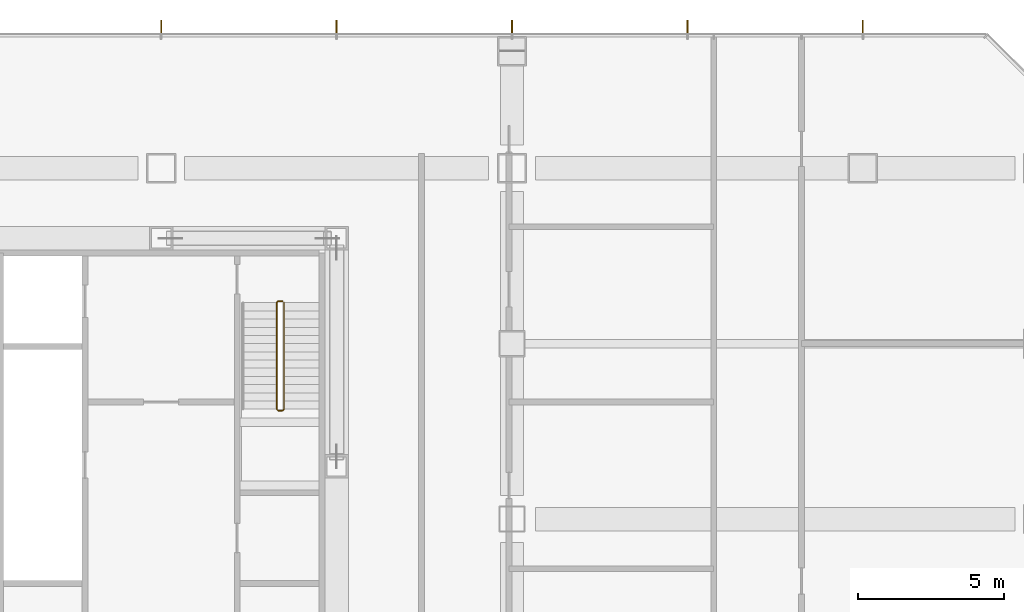
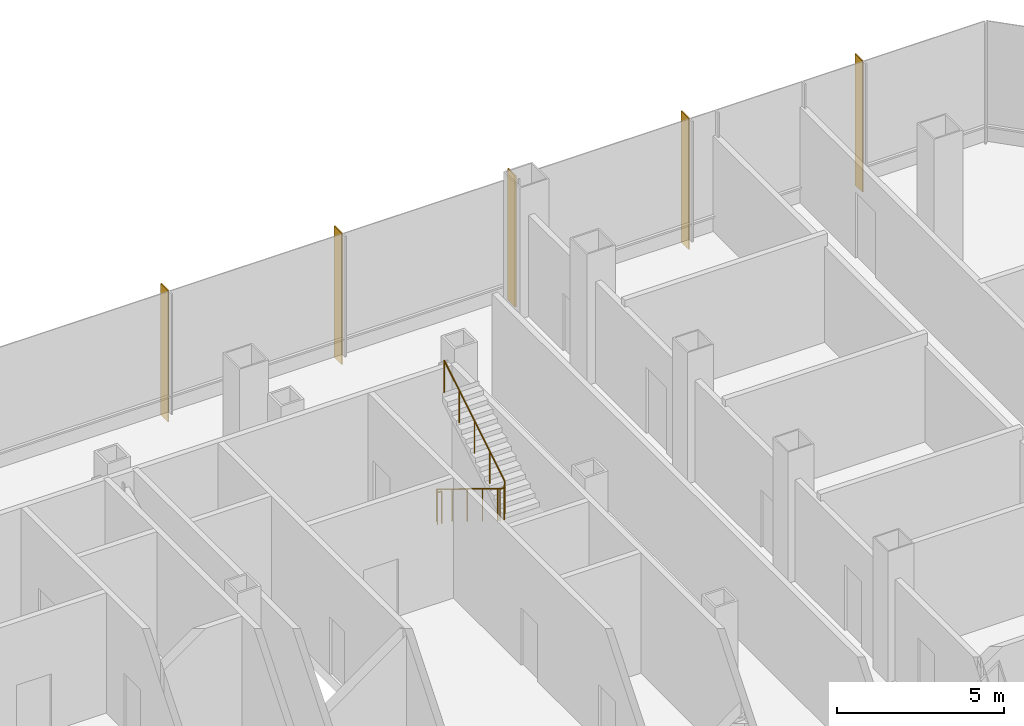
# One storey, part 31 of 34: 5 shading devices, 1 railing.
"""IFC4 building model written with IfcOpenShell, lengths in metres."""

import ifcopenshell
import ifcopenshell.guid

model = None  # the IFC model being written
_history = None  # IfcOwnerHistory: only IFC2X3 demands one
_inside = {}  # id of a spatial element -> (the spatial element, [elements in it])
_under = {}  # id of a project, library or spatial element -> (it, [spatial elements below it])
_declared = {}  # id of a project -> (the project, [libraries it declares])
_typed = {}  # id of a type object -> (the type object, [elements of that type])
_made_of = {}  # id of a material, layer set ... -> (it, [elements and type objects made of it])


def new_model(schema):
    """Start an empty IFC model of exactly this schema.

    Asked for "IFC4X3", IfcOpenShell would pick the latest addendum, in which some entities
    have other attributes; the version numbers below select the first issue.
    IFC2X3 requires an IfcOwnerHistory on every rooted entity: one is made here for all.
    """
    global model, _history
    if schema == "IFC4X3":
        model = ifcopenshell.file(schema_version=(4, 3, 0, 0))
    else:
        model = ifcopenshell.file(schema=schema)
    _inside.clear()
    _under.clear()
    _declared.clear()
    _typed.clear()
    _made_of.clear()
    _history = None
    if model.schema == "IFC2X3":
        org = make("IfcOrganization", Name="unknown")
        user = make(
            "IfcPersonAndOrganization",
            ThePerson=make("IfcPerson", FamilyName="unknown"),
            TheOrganization=org,
        )
        app = make(
            "IfcApplication",
            ApplicationDeveloper=org,
            Version="unknown",
            ApplicationFullName="unknown",
            ApplicationIdentifier="unknown",
        )
        _history = make(
            "IfcOwnerHistory",
            OwningUser=user,
            OwningApplication=app,
            ChangeAction="ADDED",
            CreationDate=0,
        )
    return model


def make(cls, **values):
    """One entity of the class cls with the attributes given. An attribute that is None is left unset."""
    return model.create_entity(
        cls, **{name: value for name, value in values.items() if value is not None}
    )


def rooted(cls, **values):
    """An entity with a GlobalId (a new one), such as an element, a storey or a relation."""
    return make(cls, GlobalId=ifcopenshell.guid.new(), OwnerHistory=_history, **values)


def si_unit(unit_type, name, prefix=None):
    """IfcSIUnit, for example si_unit("LENGTHUNIT", "METRE", prefix="MILLI")."""
    return make("IfcSIUnit", UnitType=unit_type, Prefix=prefix, Name=name)


def assignment(units):
    """IfcUnitAssignment: the units of a project."""
    return None if units is None else make("IfcUnitAssignment", Units=units)


def point(xyz):
    """IfcCartesianPoint."""
    return None if xyz is None else make("IfcCartesianPoint", Coordinates=xyz)


def direction(xyz):
    """IfcDirection."""
    return None if xyz is None else make("IfcDirection", DirectionRatios=xyz)


def frame(location, z_axis=None, x_axis=None):
    """IfcAxis2Placement3D, a coordinate frame: its origin and axes. An axis left out is left unset."""
    return make(
        "IfcAxis2Placement3D",
        Location=point(location),
        Axis=direction(z_axis),
        RefDirection=direction(x_axis),
    )


def frame_2d(location, x_axis=None):
    """IfcAxis2Placement2D, a coordinate frame in the plane: its origin and x axis."""
    return make(
        "IfcAxis2Placement2D", Location=point(location), RefDirection=direction(x_axis)
    )


def origin():
    """The frame at (0, 0, 0) with its axes left unset."""
    return frame((0.0, 0.0, 0.0))


def origin_2d():
    """The frame at (0, 0) in the plane with its x axis left unset."""
    return frame_2d((0.0, 0.0))


def place(relative_to, where):
    """IfcLocalPlacement: puts the frame where relative to a parent placement (None: the world)."""
    return make(
        "IfcLocalPlacement", PlacementRelTo=relative_to, RelativePlacement=where
    )


def context(
    kind, dimensions, precision=None, world=None, true_north=None, identifier=None
):
    """IfcGeometricRepresentationContext, for example the 3D "Model" context."""
    return make(
        "IfcGeometricRepresentationContext",
        ContextIdentifier=identifier,
        ContextType=kind,
        CoordinateSpaceDimension=dimensions,
        Precision=precision,
        WorldCoordinateSystem=world,
        TrueNorth=true_north,
    )


def subcontext(parent, identifier, kind, view, scale=None):
    """IfcGeometricRepresentationSubContext, for example "Body" below "Model"."""
    return make(
        "IfcGeometricRepresentationSubContext",
        ContextIdentifier=identifier,
        ContextType=kind,
        ParentContext=parent,
        TargetScale=scale,
        TargetView=view,
    )


def project(units=None, contexts=None):
    """IfcProject with its units and contexts."""
    return rooted(
        "IfcProject",
        Name="project",
        RepresentationContexts=contexts,
        UnitsInContext=assignment(units),
    )


def spatial(cls, under=None, at=None, **own):
    """A site, building, storey or space (cls), placed at a placement, below another one or the project."""
    s = rooted(cls, ObjectPlacement=at, **own)
    if under is not None:
        _under.setdefault(under.id(), (under, []))[1].append(s)
    return s


def profile(cls, at=None, kind="AREA", **sizes):
    """A parametric profile (cls). Its sizes go by their IFC names, for example OverallWidth=200.0."""
    return make(cls, ProfileType=kind, Position=at, **sizes)


def rectangle(**sizes):
    """IfcRectangleProfileDef."""
    return profile("IfcRectangleProfileDef", **sizes)


def circle(**sizes):
    """IfcCircleProfileDef."""
    return profile("IfcCircleProfileDef", **sizes)


def extrude(swept, where, along, depth):
    """IfcExtrudedAreaSolid: the profile swept, set in the frame where, extruded along a direction by depth."""
    return make(
        "IfcExtrudedAreaSolid",
        SweptArea=swept,
        Position=where,
        ExtrudedDirection=direction(along),
        Depth=depth,
    )


def shape(context_of_items, identifier, shape_type, items):
    """IfcShapeRepresentation: the items that make up one representation, for example the "Body"."""
    return make(
        "IfcShapeRepresentation",
        ContextOfItems=context_of_items,
        RepresentationIdentifier=identifier,
        RepresentationType=shape_type,
        Items=items,
    )


def material(Name=None, Category=None):
    """IfcMaterial."""
    return make("IfcMaterial", Name=Name, Category=Category)


def material_profile(
    of_material, cross_section, Name=None, Category=None, Priority=None
):
    """IfcMaterialProfile: a cross section and its material."""
    return make(
        "IfcMaterialProfile",
        Name=Name,
        Material=of_material,
        Profile=cross_section,
        Priority=Priority,
        Category=Category,
    )


def profile_set(profiles, Name=None, composite=None):
    """IfcMaterialProfileSet."""
    return make(
        "IfcMaterialProfileSet",
        Name=Name,
        MaterialProfiles=profiles,
        CompositeProfile=composite,
    )


def made_of(thing, what):
    """Note that an element or type object is made of a material, layer set ...; save() writes the relation."""
    if what is not None:
        _made_of.setdefault(what.id(), (what, []))[1].append(thing)
    return thing


def type_object(cls, material=None, **own):
    """A type object (cls), such as IfcWallType, which elements share."""
    return made_of(rooted(cls, **own), material)


def element(
    cls,
    number,
    at=None,
    inside=None,
    cuts=None,
    type_object=None,
    material=None,
    context=None,
    identifier="Body",
    shape_type=None,
    held_by="IfcProductDefinitionShape",
    body=None,
    shapes=None,
    **own,
):
    """One element of the class cls, such as IfcWall. Its Tag is "e" and its number.

    at: its placement. inside: the storey or other place that contains it. cuts: it is an
    opening in that element (IfcRelVoidsElement). A single representation is given by context,
    identifier, shape_type and body (its items); several are given by shapes. held_by: the class
    of the entity that holds the representations. save() writes the other relations.
    """
    e = rooted(cls, Tag="e%d" % number, ObjectPlacement=at, **own)
    if body is not None:
        shapes = [shape(context, identifier, shape_type, body)]
    if shapes is not None:
        e.Representation = make(held_by, Representations=shapes)
    if inside is not None:
        _inside.setdefault(inside.id(), (inside, []))[1].append(e)
    if cuts is not None:
        rooted(
            "IfcRelVoidsElement", RelatingBuildingElement=cuts, RelatedOpeningElement=e
        )
    if type_object is not None:
        _typed.setdefault(type_object.id(), (type_object, []))[1].append(e)
    return made_of(e, material)


def aggregate(whole, parts):
    """IfcRelAggregates: a whole, such as a stair, and the parts it consists of."""
    return rooted("IfcRelAggregates", RelatingObject=whole, RelatedObjects=parts)


def save(model, path):
    """Write the relations noted so far, then the file.

    IfcRelAggregates (storeys below a building ...), IfcRelContainedInSpatialStructure (elements
    in a storey), IfcRelDefinesByType, IfcRelAssociatesMaterial and IfcRelDeclares: one each for
    every whole, place, type object, material and project.
    """
    for whole, parts in _under.values():
        aggregate(whole, parts)
    for where, things in _inside.values():
        rooted(
            "IfcRelContainedInSpatialStructure",
            RelatedElements=things,
            RelatingStructure=where,
        )
    for kind, things in _typed.values():
        rooted("IfcRelDefinesByType", RelatedObjects=things, RelatingType=kind)
    for what, things in _made_of.values():
        rooted("IfcRelAssociatesMaterial", RelatedObjects=things, RelatingMaterial=what)
    for by, libraries in _declared.values():
        rooted("IfcRelDeclares", RelatingContext=by, RelatedDefinitions=libraries)
    model.write(path)


model = new_model("IFC4")

# Units and contexts
model_context = context("Model", 3, precision=1e-05, world=origin(), true_north=direction((0.0, 1.0)))
body_context = subcontext(model_context, "Body", "Model", "MODEL_VIEW")
ifc_project = project(units=[si_unit("LENGTHUNIT", "METRE"), si_unit("AREAUNIT", "SQUARE_METRE"), si_unit("VOLUMEUNIT", "CUBIC_METRE"), si_unit("PLANEANGLEUNIT", "RADIAN"), si_unit("MASSUNIT", "GRAM", prefix="KILO")], contexts=[model_context])

# Site, building, storey
site_placement = place(None, origin())
site = spatial("IfcSite", under=ifc_project, at=site_placement, CompositionType="ELEMENT")
building_placement = place(site_placement, origin())
building = spatial("IfcBuilding", under=site, at=building_placement, Name="Sorahane Residences", CompositionType="ELEMENT")
storey_placement = place(building_placement, frame((0.0, 0.0, 20.39990234375)))
storey = spatial("IfcBuildingStorey", under=building, at=storey_placement, Name="L02", CompositionType="ELEMENT", Elevation=20.39990234375)

# Shading devices
ifc_material_1 = material(Name="Terracotta anodised aluminium", Category="masonry")
ifc_material_profile = material_profile(ifc_material_1, rectangle(XDim=0.449951171875, YDim=0.0400390625, at=origin_2d()), Name="Podium vertical fin terracotta anodised aluminium 450x40")
ifc_profile_set = profile_set([ifc_material_profile], Name="Terracotta anodised aluminium")
shading_device_type = type_object("IfcShadingDeviceType", Name="Podium vertical fin terracotta anodised aluminium 450x40", PredefinedType="USERDEFINED", material=ifc_profile_set)
for number, where, z_axis, x_axis, name in (
    (1, (60.0, 52.844970703125, -0.39990234375), (0.0, 0.0, 1.0), (0.0, 1.0, 0.0), "Podium vertical fin L02 N1.1"),
    (2, (54.0, 52.844970703125, -0.39990234375), (0.0, 0.0, 1.0), (0.0, 1.0, 0.0), "Podium vertical fin L02 N1.2"),
    (3, (48.0, 52.844970703125, -0.39990234375), (0.0, 0.0, 1.0), (0.0, 1.0, 0.0), "Podium vertical fin L02 N1.3"),
    (4, (42.0, 52.844970703125, -0.39990234375), (0.0, 0.0, 1.0), (0.0, 1.0, 0.0), "Podium vertical fin L02 N1.4"),
    (5, (36.0, 52.844970703125, -0.39990234375), (0.0, 0.0, 1.0), (0.0, 1.0, 0.0), "Podium vertical fin L02 N1.5"),
):
    element("IfcShadingDevice", number, at=place(storey_placement, frame(where, z_axis=z_axis, x_axis=x_axis)), inside=storey, type_object=shading_device_type, Name=name, ObjectType="Vertical fin", PredefinedType="USERDEFINED", context=body_context, shape_type="SweptSolid", body=[
        extrude(rectangle(XDim=0.449951171875, YDim=0.0400390625, at=origin_2d()), origin(), (0.0, 0.0, 1.0), 4.800048828125),
    ])

# Railing
ifc_material_2 = material(Name="Steel Q355B", Category="steel")
railing_type = type_object("IfcRailingType", Name="Stair guard 1200 Steel Q355B", PredefinedType="GUARDRAIL", material=ifc_material_2)
railing_placement = place(storey_placement, frame((40.14990234375, 43.449951171875, 0.0)))
element("IfcRailing", 6, at=railing_placement, inside=storey, type_object=railing_type, Name="L02 S2 stair guard 1", PredefinedType="GUARDRAIL", context=body_context, shape_type="SweptSolid", body=[
    extrude(circle(Radius=0.02392578125, at=origin_2d()), frame((0.0, 0.0, 1.17578125), z_axis=(-1.0, 0.0, 0.0), x_axis=(0.0, -1.0, 0.0)), (0.0, 0.0, 1.0), 0.14990234375),
    extrude(circle(Radius=0.02392578125, at=origin_2d()), frame((-0.14990234375, 0.0, 1.17578125), z_axis=(-0.269583098496, -0.269583098496, 0.924472771914), x_axis=(0.707106781187, -0.707106781187, 0.0)), (0.0, 0.0, 1.0), 0.185546875),
    extrude(circle(Radius=0.02392578125, at=origin_2d()), frame((-0.199951171875, -0.050048828125, 1.34765625), z_axis=(0.0, -0.852850264322, 0.5221555579), x_axis=(1.0, 0.0, 0.0)), (0.0, 0.0, 1.0), 4.267822265625),
    extrude(circle(Radius=0.02392578125, at=origin_2d()), frame((-0.199951171875, -3.68994140625, 3.576171875), z_axis=(0.707106781187, -0.707106781187, 0.0), x_axis=(0.707106781187, 0.707106781187, 0.0)), (0.0, 0.0, 1.0), 0.07080078125),
    extrude(circle(Radius=0.02392578125, at=origin_2d()), frame((-0.14990234375, -3.739990234375, 3.576171875), z_axis=(1.0, 0.0, 0.0), x_axis=(0.0, 1.0, 0.0)), (0.0, 0.0, 1.0), 0.14990234375),
    extrude(circle(Radius=0.02392578125, at=origin_2d()), frame((0.0, -3.739990234375, 3.576171875), z_axis=(0.269911200495, 0.269911200495, 0.924281281696), x_axis=(-0.707106781187, 0.707106781187, 0.0)), (0.0, 0.0, 1.0), 0.185546875),
    extrude(circle(Radius=0.02392578125, at=origin_2d()), frame((0.050048828125, -3.68994140625, 3.74755859375), z_axis=(0.0, 0.852850264322, 0.5221555579), x_axis=(-1.0, 0.0, 0.0)), (0.0, 0.0, 1.0), 4.267822265625),
    extrude(circle(Radius=0.02099609375, at=origin_2d()), origin(), (0.0, 0.0, 1.0), 1.15185546875),
    extrude(circle(Radius=0.02099609375, at=origin_2d()), frame((-0.14990234375, 0.0, 0.0)), (0.0, 0.0, 1.0), 1.15185546875),
    extrude(circle(Radius=0.02099609375, at=origin_2d()), frame((-0.199951171875, -0.050048828125, 0.171630859375)), (0.0, 0.0, 1.0), 1.15185546875),
    extrude(circle(Radius=0.02099609375, at=origin_2d()), frame((-0.199951171875, -0.9599609375, 0.728759765625)), (0.0, 0.0, 1.0), 1.15185546875),
    extrude(circle(Radius=0.02099609375, at=origin_2d()), frame((-0.199951171875, -1.8701171875, 1.285888671875)), (0.0, 0.0, 1.0), 1.15185546875),
    extrude(circle(Radius=0.02099609375, at=origin_2d()), frame((-0.199951171875, -2.780029296875, 1.843017578125)), (0.0, 0.0, 1.0), 1.15185546875),
    extrude(circle(Radius=0.02099609375, at=origin_2d()), frame((-0.199951171875, -3.68994140625, 2.400146484375)), (0.0, 0.0, 1.0), 1.15185546875),
    extrude(circle(Radius=0.02099609375, at=origin_2d()), frame((-0.14990234375, -3.739990234375, 2.400146484375)), (0.0, 0.0, 1.0), 1.15185546875),
    extrude(circle(Radius=0.02099609375, at=origin_2d()), frame((0.0, -3.739990234375, 2.400146484375)), (0.0, 0.0, 1.0), 1.15185546875),
    extrude(circle(Radius=0.02099609375, at=origin_2d()), frame((0.050048828125, -3.68994140625, 2.571533203125)), (0.0, 0.0, 1.0), 1.15185546875),
    extrude(circle(Radius=0.02099609375, at=origin_2d()), frame((0.050048828125, -2.780029296875, 3.128662109375)), (0.0, 0.0, 1.0), 1.15185546875),
    extrude(circle(Radius=0.02099609375, at=origin_2d()), frame((0.050048828125, -1.8701171875, 3.685791015625)), (0.0, 0.0, 1.0), 1.15185546875),
    extrude(circle(Radius=0.02099609375, at=origin_2d()), frame((0.050048828125, -0.9599609375, 4.242919921875)), (0.0, 0.0, 1.0), 1.15185546875),
    extrude(circle(Radius=0.02099609375, at=origin_2d()), frame((0.050048828125, -0.050048828125, 4.800048828125)), (0.0, 0.0, 1.0), 1.15185546875),
])

save(model, "model.ifc")
